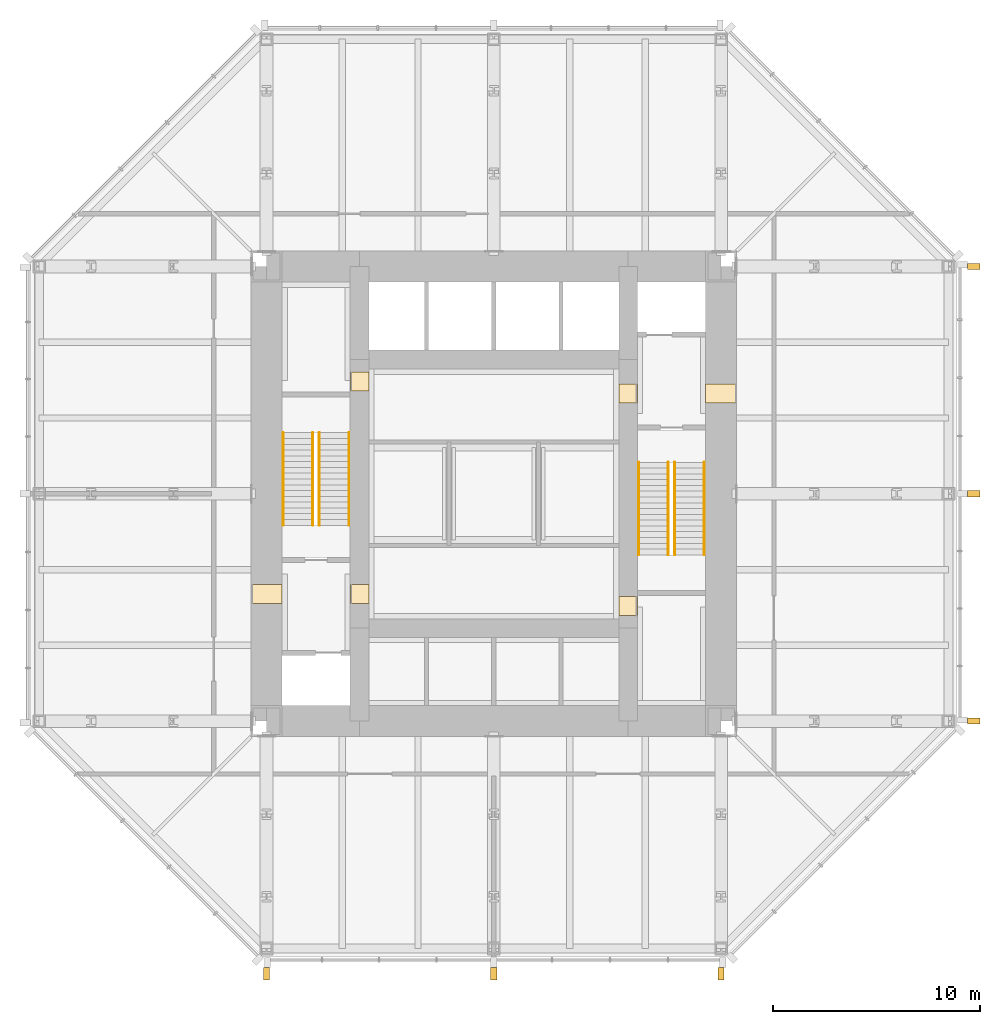
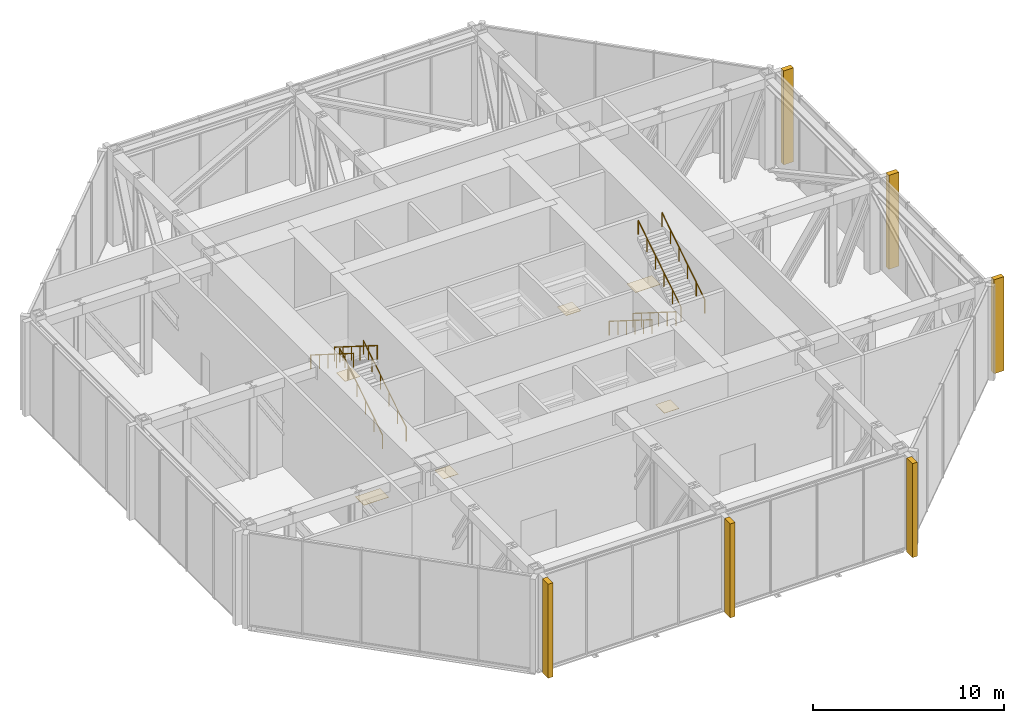
# One storey, part 11 of 11: 12 coverings, 8 railings.
"""IFC4 building model written with IfcOpenShell, lengths in metres."""

from ifc_helpers import new_model, si_unit, direction, frame, origin, origin_2d, place, context, subcontext, project, spatial, polyline, rectangle, circle, outline, extrude, material, layer, layer_set, type_object, element, save


model = new_model("IFC4")

# Units and contexts
model_context = context("Model", 3, precision=1e-05, world=origin(), true_north=direction((0.0, 1.0)))
body_context = subcontext(model_context, "Body", "Model", "MODEL_VIEW")
ifc_project = project(units=[si_unit("LENGTHUNIT", "METRE"), si_unit("AREAUNIT", "SQUARE_METRE"), si_unit("VOLUMEUNIT", "CUBIC_METRE"), si_unit("PLANEANGLEUNIT", "RADIAN"), si_unit("MASSUNIT", "GRAM", prefix="KILO")], contexts=[model_context])

# Site, building, storey
site_placement = place(None, origin())
site = spatial("IfcSite", under=ifc_project, at=site_placement, CompositionType="ELEMENT")
building_placement = place(site_placement, origin())
building = spatial("IfcBuilding", under=site, at=building_placement, Name="Trevanion Tower", CompositionType="ELEMENT")
storey_placement = place(building_placement, frame((0.0, 0.0, 178.699951171875)))
storey = spatial("IfcBuildingStorey", under=building, at=storey_placement, Name="L42", CompositionType="ELEMENT", Elevation=178.699951171875)

# Coverings
ifc_material_1 = material(Name="Cast bronze fin on aluminium carrier", Category="aluminium")
covering_type_1 = type_object("IfcCoveringType", Name="F1 bronze fin", PredefinedType="CLADDING", material=ifc_material_1)
for number, where, z_axis, x_axis, name in (
    (1, (23.22509765625, -11.0, -0.18994140625), (0.0, 0.0, 1.0), (0.0, 1.0, 0.0), "F1 L42 east -11.0"),
    (2, (23.22509765625, 0.0, -0.18994140625), (0.0, 0.0, 1.0), (0.0, 1.0, 0.0), "F1 L42 east +0.0"),
    (3, (23.22509765625, 11.0, -0.18994140625), (0.0, 0.0, 1.0), (0.0, 1.0, 0.0), "F1 L42 east +11.0"),
    (4, (-11.0, -23.22509765625, -0.18994140625), (0.0, 0.0, 1.0), (1.0, 0.0, 0.0), "F1 L42 south -11.0"),
    (5, (0.0, -23.22509765625, -0.18994140625), (0.0, 0.0, 1.0), (1.0, 0.0, 0.0), "F1 L42 south +0.0"),
    (6, (11.0, -23.22509765625, -0.18994140625), (0.0, 0.0, 1.0), (1.0, 0.0, 0.0), "F1 L42 south +11.0"),
):
    element("IfcCovering", number, at=place(storey_placement, frame(where, z_axis=z_axis, x_axis=x_axis)), inside=storey, type_object=covering_type_1, Name=name, PredefinedType="CLADDING", context=body_context, shape_type="SweptSolid", body=[
        extrude(rectangle(XDim=0.300048828125, YDim=0.60009765625, at=origin_2d()), origin(), (0.0, 0.0, 1.0), 6.0),
    ])
ifc_material_2 = material(Name="Terrazzo, brass divider strips", Category="stone")
ifc_layer = layer(ifc_material_2, 0.02001953125)
ifc_layer_set = layer_set([ifc_layer], Name="FF1 terrazzo flooring")
covering_type_2 = type_object("IfcCoveringType", Name="FF1 terrazzo flooring", PredefinedType="FLOORING", material=ifc_layer_set)
covering_1_placement = place(storey_placement, origin())
element("IfcCovering", 7, at=covering_1_placement, inside=storey, type_object=covering_type_2, Name="FF1 threshold 42-001", PredefinedType="FLOORING", context=body_context, shape_type="SweptSolid", body=[
    extrude(outline(polyline([(11.75, 4.392578125), (11.75, 5.3076171875), (10.25, 5.3076171875), (10.25, 4.392578125), (11.75, 4.392578125)])), origin(), (0.0, 0.0, 1.0), 0.02001953125),
])
covering_2_placement = place(storey_placement, origin())
element("IfcCovering", 8, at=covering_2_placement, inside=storey, type_object=covering_type_2, Name="FF1 threshold 42-002", PredefinedType="FLOORING", context=body_context, shape_type="SweptSolid", body=[
    extrude(outline(polyline([(-11.75, -4.392578125), (-11.75, -5.3076171875), (-10.25, -5.3076171875), (-10.25, -4.392578125), (-11.75, -4.392578125)])), origin(), (0.0, 0.0, 1.0), 0.02001953125),
])
covering_3_placement = place(storey_placement, origin())
element("IfcCovering", 9, at=covering_3_placement, inside=storey, type_object=covering_type_2, Name="FF1 threshold 42-003", PredefinedType="FLOORING", context=body_context, shape_type="SweptSolid", body=[
    extrude(outline(polyline([(6.949951171875, 4.392578125), (6.949951171875, 5.3076171875), (6.050048828125, 5.3076171875), (6.050048828125, 4.392578125), (6.949951171875, 4.392578125)])), origin(), (0.0, 0.0, 1.0), 0.02001953125),
])
covering_4_placement = place(storey_placement, origin())
element("IfcCovering", 10, at=covering_4_placement, inside=storey, type_object=covering_type_2, Name="FF1 threshold 42-004", PredefinedType="FLOORING", context=body_context, shape_type="SweptSolid", body=[
    extrude(outline(polyline([(-6.949951171875, -4.392578125), (-6.949951171875, -5.3076171875), (-6.050048828125, -5.3076171875), (-6.050048828125, -4.392578125), (-6.949951171875, -4.392578125)])), origin(), (0.0, 0.0, 1.0), 0.02001953125),
])
covering_5_placement = place(storey_placement, origin())
element("IfcCovering", 11, at=covering_5_placement, inside=storey, type_object=covering_type_2, Name="FF1 threshold 42-009", PredefinedType="FLOORING", context=body_context, shape_type="SweptSolid", body=[
    extrude(outline(polyline([(6.949951171875, -5.889892578125), (6.949951171875, -4.97509765625), (6.050048828125, -4.97509765625), (6.050048828125, -5.889892578125), (6.949951171875, -5.889892578125)])), origin(), (0.0, 0.0, 1.0), 0.02001953125),
])
covering_6_placement = place(storey_placement, origin())
element("IfcCovering", 12, at=covering_6_placement, inside=storey, type_object=covering_type_2, Name="FF1 threshold 42-010", PredefinedType="FLOORING", context=body_context, shape_type="SweptSolid", body=[
    extrude(outline(polyline([(-6.949951171875, 5.889892578125), (-6.949951171875, 4.97509765625), (-6.050048828125, 4.97509765625), (-6.050048828125, 5.889892578125), (-6.949951171875, 5.889892578125)])), origin(), (0.0, 0.0, 1.0), 0.02001953125),
])

# Railings
ifc_material_3 = material(Name="Stainless steel tube 40 mm", Category="steel")
railing_type = type_object("IfcRailingType", Name="HR1 handrail", PredefinedType="HANDRAIL", material=ifc_material_3)
for number, where, name in (
    (13, (7.010009765625, 1.52490234375, 0.176513671875), "HR1 ST1 L42 flight 1"),
    (14, (8.43994140625, 1.52490234375, 0.176513671875), "HR1 ST1 L42 flight 1"),
):
    element("IfcRailing", number, at=place(storey_placement, frame(where)), inside=storey, type_object=railing_type, Name=name, PredefinedType="HANDRAIL", context=body_context, shape_type="SweptSolid", body=[
        extrude(circle(Radius=0.02001953125, at=origin_2d()), frame((0.0, 0.0, 0.8798828125), z_axis=(0.0, -0.845997938375, 0.533186166611), x_axis=(1.0, 0.0, 0.0)), (0.0, 0.0, 1.0), 5.29541015625),
        extrude(circle(Radius=0.01513671875, at=origin_2d()), origin(), (0.0, 0.0, 1.0), 0.85986328125),
        extrude(circle(Radius=0.01513671875, at=origin_2d()), frame((0.0, -0.89599609375, 0.564697265625)), (0.0, 0.0, 1.0), 0.85986328125),
        extrude(circle(Radius=0.01513671875, at=origin_2d()), frame((0.0, -1.7919921875, 1.12939453125)), (0.0, 0.0, 1.0), 0.85986328125),
        extrude(circle(Radius=0.01513671875, at=origin_2d()), frame((0.0, -2.68798828125, 1.694091796875)), (0.0, 0.0, 1.0), 0.85986328125),
        extrude(circle(Radius=0.01513671875, at=origin_2d()), frame((0.0, -3.583984375, 2.2587890625)), (0.0, 0.0, 1.0), 0.85986328125),
        extrude(circle(Radius=0.01513671875, at=origin_2d()), frame((0.0, -4.47998046875, 2.823486328125)), (0.0, 0.0, 1.0), 0.85986328125),
    ])
for number, where, name in (
    (15, (8.760009765625, -2.955078125, 3.176513671875), "HR1 ST1 L42 flight 2"),
    (16, (10.18994140625, -2.955078125, 3.176513671875), "HR1 ST1 L42 flight 2"),
    (17, (-7.010009765625, -1.52490234375, 0.176513671875), "HR1 ST2 L42 flight 1"),
    (18, (-8.43994140625, -1.52490234375, 0.176513671875), "HR1 ST2 L42 flight 1"),
):
    element("IfcRailing", number, at=place(storey_placement, frame(where)), inside=storey, type_object=railing_type, Name=name, PredefinedType="HANDRAIL", context=body_context, shape_type="SweptSolid", body=[
        extrude(circle(Radius=0.02001953125, at=origin_2d()), frame((0.0, 0.0, 0.8798828125), z_axis=(0.0, 0.845997938375, 0.533186166611), x_axis=(-1.0, 0.0, 0.0)), (0.0, 0.0, 1.0), 5.29541015625),
        extrude(circle(Radius=0.01513671875, at=origin_2d()), origin(), (0.0, 0.0, 1.0), 0.85986328125),
        extrude(circle(Radius=0.01513671875, at=origin_2d()), frame((0.0, 0.89599609375, 0.564697265625)), (0.0, 0.0, 1.0), 0.85986328125),
        extrude(circle(Radius=0.01513671875, at=origin_2d()), frame((0.0, 1.7919921875, 1.12939453125)), (0.0, 0.0, 1.0), 0.85986328125),
        extrude(circle(Radius=0.01513671875, at=origin_2d()), frame((0.0, 2.68798828125, 1.694091796875)), (0.0, 0.0, 1.0), 0.85986328125),
        extrude(circle(Radius=0.01513671875, at=origin_2d()), frame((0.0, 3.583984375, 2.2587890625)), (0.0, 0.0, 1.0), 0.85986328125),
        extrude(circle(Radius=0.01513671875, at=origin_2d()), frame((0.0, 4.47998046875, 2.823486328125)), (0.0, 0.0, 1.0), 0.85986328125),
    ])
for number, where, name in (
    (19, (-8.760009765625, 2.955078125, 3.176513671875), "HR1 ST2 L42 flight 2"),
    (20, (-10.18994140625, 2.955078125, 3.176513671875), "HR1 ST2 L42 flight 2"),
):
    element("IfcRailing", number, at=place(storey_placement, frame(where)), inside=storey, type_object=railing_type, Name=name, PredefinedType="HANDRAIL", context=body_context, shape_type="SweptSolid", body=[
        extrude(circle(Radius=0.02001953125, at=origin_2d()), frame((0.0, 0.0, 0.8798828125), z_axis=(0.0, -0.845997938375, 0.533186166611), x_axis=(1.0, 0.0, 0.0)), (0.0, 0.0, 1.0), 5.29541015625),
        extrude(circle(Radius=0.01513671875, at=origin_2d()), origin(), (0.0, 0.0, 1.0), 0.85986328125),
        extrude(circle(Radius=0.01513671875, at=origin_2d()), frame((0.0, -0.89599609375, 0.564697265625)), (0.0, 0.0, 1.0), 0.85986328125),
        extrude(circle(Radius=0.01513671875, at=origin_2d()), frame((0.0, -1.7919921875, 1.12939453125)), (0.0, 0.0, 1.0), 0.85986328125),
        extrude(circle(Radius=0.01513671875, at=origin_2d()), frame((0.0, -2.68798828125, 1.694091796875)), (0.0, 0.0, 1.0), 0.85986328125),
        extrude(circle(Radius=0.01513671875, at=origin_2d()), frame((0.0, -3.583984375, 2.2587890625)), (0.0, 0.0, 1.0), 0.85986328125),
        extrude(circle(Radius=0.01513671875, at=origin_2d()), frame((0.0, -4.47998046875, 2.823486328125)), (0.0, 0.0, 1.0), 0.85986328125),
    ])

save(model, "model.ifc")
